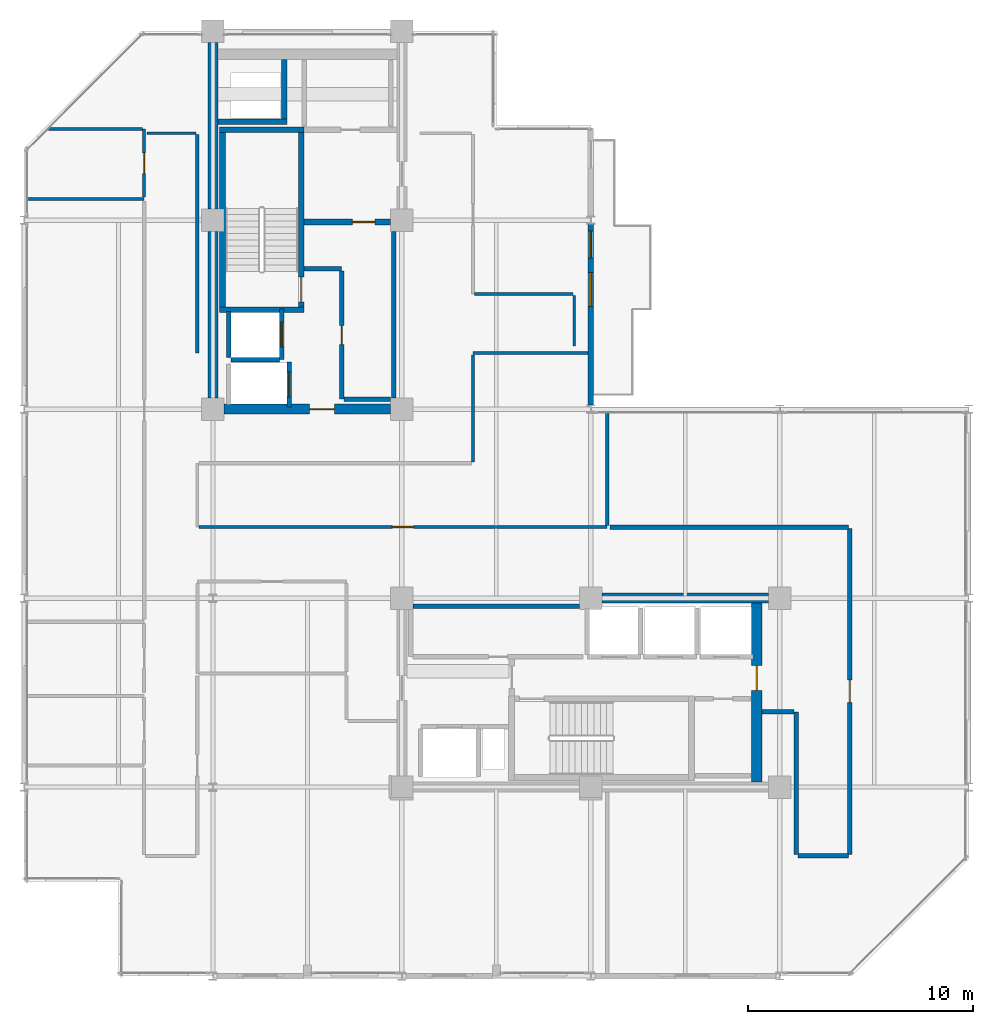
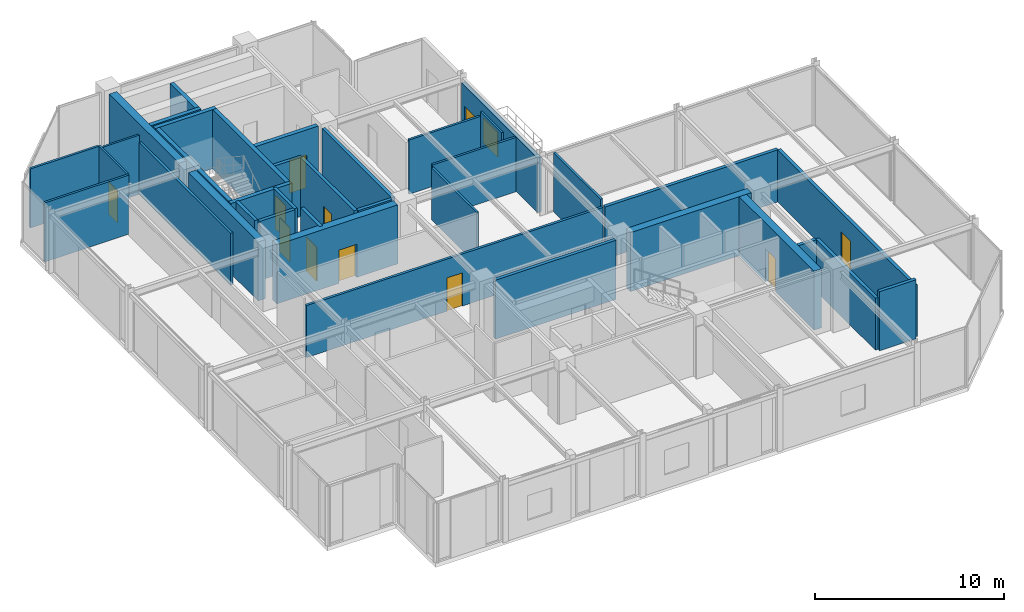
# One storey, part 21 of 25: 38 walls, 11 doors, 1 window, 12 openings.
"""IFC4 building model written with IfcOpenShell, lengths in metres."""

from ifc_helpers import new_model, si_unit, direction, frame, frame_2d, origin, place, context, subcontext, project, spatial, rectangle, extrude, material, layer, layer_set, type_object, element, fill, save


model = new_model("IFC4")

# Units and contexts
model_context = context("Model", 3, precision=1e-05, world=origin(), true_north=direction((0.0, 1.0)))
body_context = subcontext(model_context, "Body", "Model", "MODEL_VIEW")
ifc_project = project(units=[si_unit("LENGTHUNIT", "METRE"), si_unit("AREAUNIT", "SQUARE_METRE"), si_unit("VOLUMEUNIT", "CUBIC_METRE"), si_unit("PLANEANGLEUNIT", "RADIAN"), si_unit("MASSUNIT", "GRAM", prefix="KILO")], contexts=[model_context])

# Site, building, storey
site_placement = place(None, origin())
site = spatial("IfcSite", under=ifc_project, at=site_placement, CompositionType="ELEMENT")
building_placement = place(site_placement, origin())
building = spatial("IfcBuilding", under=site, at=building_placement, Name="Nerrivon Quay Data Exchange", CompositionType="ELEMENT")
storey_placement = place(building_placement, frame((0.0, 0.0, 237.0)))
storey = spatial("IfcBuildingStorey", under=building, at=storey_placement, Name="L56", CompositionType="ELEMENT", Elevation=237.0)

# Wall, openings, door, window
ifc_material_1 = material(Name="Architectural terracotta precast concrete N50 (50 MPa)", Category="masonry")
ifc_layer_1 = layer(ifc_material_1, 0.239990234375)
ifc_layer_set_1 = layer_set([ifc_layer_1], Name="Architectural terracotta precast concrete N50 (50 MPa)")
wall_type_1 = type_object("IfcWallType", Name="EW-PREC-240", PredefinedType="STANDARD", material=ifc_layer_set_1)
wall_1_placement = place(storey_placement, frame((25.199951171875, 33.425048828125, 0.0), z_axis=(0.0, 0.0, 1.0), x_axis=(0.0, -1.0, 0.0)))
wall_1 = element("IfcWall", 1, at=wall_1_placement, inside=storey, type_object=wall_type_1, Name="L56 Terrace Host Wall 23", PredefinedType="STANDARD", context=body_context, shape_type="SweptSolid", body=[
    extrude(rectangle(XDim=8.050048828125, YDim=0.239990234375, at=frame_2d((4.02490234375, 0.0))), origin(), (0.0, 0.0, 1.0), 3.52490234375),
])
opening_1_placement = place(wall_1_placement, frame((0.300048828125, 0.0, 0.0)))
opening_1 = element("IfcOpeningElement", 2, at=opening_1_placement, cuts=wall_1, Name="Opening TD1", PredefinedType="OPENING", context=body_context, shape_type="SweptSolid", body=[
    extrude(rectangle(XDim=1.199951171875, YDim=2.199951171875, at=frame_2d((0.60009765625, 1.10009765625))), frame((0.0, 0.1298828125, 0.0), z_axis=(0.0, -1.0, 0.0), x_axis=(1.0, 0.0, 0.0)), (0.0, 0.0, 1.0), 0.260009765625),
])
opening_2_placement = place(wall_1_placement, frame((2.153564453125, 0.0, 0.89990234375)))
opening_2 = element("IfcOpeningElement", 3, at=opening_2_placement, cuts=wall_1, Name="Opening WN4", PredefinedType="OPENING", context=body_context, shape_type="SweptSolid", body=[
    extrude(rectangle(XDim=1.5, YDim=1.60009765625, at=frame_2d((0.75, 0.800048828125))), frame((0.0, 0.1298828125, 0.0), z_axis=(0.0, -1.0, 0.0), x_axis=(1.0, 0.0, 0.0)), (0.0, 0.0, 1.0), 0.260009765625),
])
ifc_material_2 = material(Name="Double-glazed low-E solar control glass", Category="glass")
door_type_1 = type_object("IfcDoorType", Name="DR-TERR-1200x2200", OperationType="NOTDEFINED", PredefinedType="DOOR", material=ifc_material_2)
door_1_placement = place(opening_1_placement, origin())
door_1 = element("IfcDoor", 4, at=door_1_placement, inside=storey, type_object=door_type_1, Name="L56 Outdoor Terrace Access Door 23", OperationType="SINGLE_SWING_RIGHT", OverallHeight=2.199951171875, OverallWidth=1.199951171875, PredefinedType="DOOR", context=body_context, shape_type="SweptSolid", body=[
    extrude(rectangle(XDim=1.199951171875, YDim=2.199951171875, at=frame_2d((0.60009765625, 1.10009765625))), frame((0.0, 0.02490234375, 0.0), z_axis=(0.0, -1.0, 0.0), x_axis=(1.0, 0.0, 0.0)), (0.0, 0.0, 1.0), 0.050048828125),
])
fill(opening_1, door_1)
window_type = type_object("IfcWindowType", Name="WIN-W4-1500x1600", PartitioningType="SINGLE_PANEL", PredefinedType="WINDOW", material=ifc_material_2)
window_placement = place(opening_2_placement, origin())
window = element("IfcWindow", 5, at=window_placement, inside=storey, type_object=window_type, Name="L56 Terrace Side Window 23", OverallHeight=1.60009765625, OverallWidth=1.5, PartitioningType="SINGLE_PANEL", PredefinedType="WINDOW", context=body_context, shape_type="SweptSolid", body=[
    extrude(rectangle(XDim=1.5, YDim=1.60009765625, at=frame_2d((0.75, 0.800048828125))), frame((0.0, 0.030029296875, 0.0), z_axis=(0.0, -1.0, 0.0), x_axis=(1.0, 0.0, 0.0)), (0.0, 0.0, 1.0), 0.06005859375),
])
fill(opening_2, window)

# Walls
ifc_material_3 = material(Name="Concrete N50 (50 MPa)", Category="concrete")
ifc_layer_2 = layer(ifc_material_3, 0.449951171875)
ifc_layer_set_2 = layer_set([ifc_layer_2], Name="Concrete N50 (50 MPa)")
wall_type_2 = type_object("IfcWallType", Name="WALL-CW-550", PredefinedType="SHEAR", material=ifc_layer_set_2)
wall_2_placement = place(storey_placement, frame((8.39990234375, 25.699951171875, 0.0), z_axis=(0.0, 0.0, 1.0), x_axis=(0.0, 1.0, 0.0)))
element("IfcWall", 6, at=wall_2_placement, inside=storey, type_object=wall_type_2, Name="L56 West Split-Core Shear Wall WCW-W1", PredefinedType="SHEAR", context=body_context, shape_type="SweptSolid", body=[
    extrude(rectangle(XDim=7.400146484375, YDim=0.449951171875, at=frame_2d((3.7001953125, 0.0))), origin(), (0.0, 0.0, 1.0), 3.824951171875),
])
wall_3_placement = place(storey_placement, frame((8.39990234375, 34.10009765625, 0.0), z_axis=(0.0, 0.0, 1.0), x_axis=(0.0, 1.0, 0.0)))
element("IfcWall", 7, at=wall_3_placement, inside=storey, type_object=wall_type_2, Name="L56 West Split-Core Shear Wall WCW-W2", PredefinedType="SHEAR", context=body_context, shape_type="SweptSolid", body=[
    extrude(rectangle(XDim=7.39990234375, YDim=0.449951171875, at=frame_2d((3.699951171875, 0.0))), origin(), (0.0, 0.0, 1.0), 3.824951171875),
])

# Wall, opening, door
wall_4_placement = place(storey_placement, frame((8.89990234375, 25.199951171875, 0.0), z_axis=(0.0, 0.0, 1.0), x_axis=(1.0, 0.0, 0.0)))
wall_4 = element("IfcWall", 8, at=wall_4_placement, inside=storey, type_object=wall_type_2, Name="L56 West Split-Core Shear Wall WCW-S1", PredefinedType="SHEAR", context=body_context, shape_type="SweptSolid", body=[
    extrude(rectangle(XDim=7.400146484375, YDim=0.449951171875, at=frame_2d((3.7001953125, 0.0))), origin(), (0.0, 0.0, 1.0), 3.824951171875),
])
opening_3_placement = place(wall_4_placement, frame((3.800048828125, 0.0, 0.0)))
opening_3 = element("IfcOpeningElement", 9, at=opening_3_placement, cuts=wall_4, Name="Opening FD-120", PredefinedType="OPENING", context=body_context, shape_type="SweptSolid", body=[
    extrude(rectangle(XDim=1.10009765625, YDim=2.14990234375, at=frame_2d((0.550048828125, 1.074951171875))), frame((0.0, 0.23486328125, 0.0), z_axis=(0.0, -1.0, 0.0), x_axis=(1.0, 0.0, 0.0)), (0.0, 0.0, 1.0), 0.469970703125),
])
ifc_material_4 = material(Name="Powder-coated galvanized steel sheet", Category="steel")
door_type_2 = type_object("IfcDoorType", Name="DR-FD120-1100", OperationType="NOTDEFINED", PredefinedType="DOOR", material=ifc_material_4)
door_2_placement = place(opening_3_placement, origin())
door_2 = element("IfcDoor", 10, at=door_2_placement, inside=storey, type_object=door_type_2, Name="L56 West Core Lobby Fire Door", OperationType="SINGLE_SWING_LEFT", OverallHeight=2.14990234375, OverallWidth=1.10009765625, PredefinedType="DOOR", context=body_context, shape_type="SweptSolid", body=[
    extrude(rectangle(XDim=1.10009765625, YDim=2.14990234375, at=frame_2d((0.550048828125, 1.074951171875))), frame((0.0, 0.02490234375, 0.0), z_axis=(0.0, -1.0, 0.0), x_axis=(1.0, 0.0, 0.0)), (0.0, 0.0, 1.0), 0.050048828125),
])
fill(opening_3, door_2)

wall_5_placement = place(storey_placement, frame((32.574951171875, 8.625, 0.0), z_axis=(0.0, 0.0, 1.0), x_axis=(0.0, 1.0, 0.0)))
wall_5 = element("IfcWall", 11, at=wall_5_placement, inside=storey, type_object=wall_type_2, Name="L56 East Split-Core Shear Wall ECW-E1", PredefinedType="SHEAR", context=body_context, shape_type="SweptSolid", body=[
    extrude(rectangle(XDim=7.949951171875, YDim=0.449951171875, at=frame_2d((3.97509765625, 0.0))), origin(), (0.0, 0.0, 1.0), 3.824951171875),
])
opening_4_placement = place(wall_5_placement, frame((4.074951171875, 0.0, 0.0)))
opening_4 = element("IfcOpeningElement", 12, at=opening_4_placement, cuts=wall_5, Name="Opening FD-120", PredefinedType="OPENING", context=body_context, shape_type="SweptSolid", body=[
    extrude(rectangle(XDim=1.10009765625, YDim=2.14990234375, at=frame_2d((0.550048828125, 1.074951171875))), frame((0.0, 0.23486328125, 0.0), z_axis=(0.0, -1.0, 0.0), x_axis=(1.0, 0.0, 0.0)), (0.0, 0.0, 1.0), 0.469970703125),
])
door_3_placement = place(opening_4_placement, origin())
door_3 = element("IfcDoor", 13, at=door_3_placement, inside=storey, type_object=door_type_2, Name="L56 East Core Lobby Fire Door", OperationType="SINGLE_SWING_RIGHT", OverallHeight=2.14990234375, OverallWidth=1.10009765625, PredefinedType="DOOR", context=body_context, shape_type="SweptSolid", body=[
    extrude(rectangle(XDim=1.10009765625, YDim=2.14990234375, at=frame_2d((0.550048828125, 1.074951171875))), frame((0.0, 0.02490234375, 0.0), z_axis=(0.0, -1.0, 0.0), x_axis=(1.0, 0.0, 0.0)), (0.0, 0.0, 1.0), 0.050048828125),
])
fill(opening_4, door_3)

# Wall
wall_6_placement = place(storey_placement, frame((25.699951171875, 16.800048828125, 0.0), z_axis=(0.0, 0.0, 1.0), x_axis=(1.0, 0.0, 0.0)))
element("IfcWall", 14, at=wall_6_placement, inside=storey, type_object=wall_type_2, Name="L56 East Split-Core Shear Wall ECW-N1", PredefinedType="SHEAR", context=body_context, shape_type="SweptSolid", body=[
    extrude(rectangle(XDim=7.400146484375, YDim=0.449951171875, at=frame_2d((3.7001953125, 0.0))), origin(), (0.0, 0.0, 1.0), 3.824951171875),
])

# Wall, opening, door
ifc_material_5 = material(Name="Gypsum plasterboard on cold-formed framing", Category="gypsum")
ifc_layer_3 = layer(ifc_material_5, 0.199951171875)
ifc_layer_set_3 = layer_set([ifc_layer_3], Name="Gypsum plasterboard on cold-formed framing")
wall_type_3 = type_object("IfcWallType", Name="WALL-FW-200", PredefinedType="PARTITIONING", material=ifc_layer_set_3)
wall_7_placement = place(storey_placement, frame((11.449951171875, 27.39990234375, 0.0), z_axis=(0.0, 0.0, 1.0), x_axis=(0.0, 1.0, 0.0)))
wall_7 = element("IfcWall", 15, at=wall_7_placement, inside=storey, type_object=wall_type_3, Name="L56 Lift Front Wall FFL-1", PredefinedType="PARTITIONING", context=body_context, shape_type="SweptSolid", body=[
    extrude(rectangle(XDim=2.25, YDim=0.199951171875, at=frame_2d((1.125, 0.0))), origin(), (0.0, 0.0, 1.0), 3.824951171875),
])
opening_5_placement = place(wall_7_placement, frame((0.574951171875, 0.0, 0.0)))
opening_5 = element("IfcOpeningElement", 16, at=opening_5_placement, cuts=wall_7, Name="Opening LD-120", PredefinedType="OPENING", context=body_context, shape_type="SweptSolid", body=[
    extrude(rectangle(XDim=1.10009765625, YDim=2.199951171875, at=frame_2d((0.550048828125, 1.10009765625))), frame((0.0, 0.10986328125, 0.0), z_axis=(0.0, -1.0, 0.0), x_axis=(1.0, 0.0, 0.0)), (0.0, 0.0, 1.0), 0.219970703125),
])
door_type_3 = type_object("IfcDoorType", Name="DR-LIFT-LD120", OperationType="DOUBLE_DOOR_SLIDING", PredefinedType="DOOR", material=ifc_material_4)
door_4_placement = place(opening_5_placement, origin())
door_4 = element("IfcDoor", 17, at=door_4_placement, inside=storey, type_object=door_type_3, Name="L56 Lift Landing Sliding Door FFL-1", OperationType="DOUBLE_DOOR_SLIDING", OverallHeight=2.199951171875, OverallWidth=1.10009765625, PredefinedType="DOOR", context=body_context, shape_type="SweptSolid", body=[
    extrude(rectangle(XDim=1.10009765625, YDim=2.199951171875, at=frame_2d((0.550048828125, 1.10009765625))), frame((0.0, 0.02490234375, 0.0), z_axis=(0.0, -1.0, 0.0), x_axis=(1.0, 0.0, 0.0)), (0.0, 0.0, 1.0), 0.050048828125),
])
fill(opening_5, door_4)

# Walls
wall_8_placement = place(storey_placement, frame((9.10009765625, 27.5, 0.0), z_axis=(0.0, 0.0, 1.0), x_axis=(0.0, 1.0, 0.0)))
element("IfcWall", 18, at=wall_8_placement, inside=storey, type_object=wall_type_3, Name="L56 Lift Shaft Wall FFL-1 WEST", PredefinedType="PARTITIONING", context=body_context, shape_type="SweptSolid", body=[
    extrude(rectangle(XDim=2.050048828125, YDim=0.199951171875, at=frame_2d((1.02490234375, 0.0))), origin(), (0.0, 0.0, 1.0), 3.824951171875),
])
wall_9_placement = place(storey_placement, frame((9.199951171875, 27.39990234375, 0.0), z_axis=(0.0, 0.0, 1.0), x_axis=(1.0, 0.0, 0.0)))
element("IfcWall", 19, at=wall_9_placement, inside=storey, type_object=wall_type_3, Name="L56 Lift Shaft Wall FFL-1 SOUTH", PredefinedType="PARTITIONING", context=body_context, shape_type="SweptSolid", body=[
    extrude(rectangle(XDim=2.150146484375, YDim=0.199951171875, at=frame_2d((1.0751953125, 0.0))), origin(), (0.0, 0.0, 1.0), 3.824951171875),
])

# Wall, opening, door
wall_10_placement = place(storey_placement, frame((11.800048828125, 25.300048828125, 0.0), z_axis=(0.0, 0.0, 1.0), x_axis=(0.0, 1.0, 0.0)))
wall_10 = element("IfcWall", 20, at=wall_10_placement, inside=storey, type_object=wall_type_3, Name="L56 Lift Front Wall SVL-1", PredefinedType="PARTITIONING", context=body_context, shape_type="SweptSolid", body=[
    extrude(rectangle(XDim=2.0, YDim=0.199951171875, at=frame_2d((1.0, 0.0))), origin(), (0.0, 0.0, 1.0), 3.824951171875),
])
opening_6_placement = place(wall_10_placement, frame((0.449951171875, 0.0, 0.0)))
opening_6 = element("IfcOpeningElement", 21, at=opening_6_placement, cuts=wall_10, Name="Opening LD-120", PredefinedType="OPENING", context=body_context, shape_type="SweptSolid", body=[
    extrude(rectangle(XDim=1.10009765625, YDim=2.199951171875, at=frame_2d((0.550048828125, 1.10009765625))), frame((0.0, 0.10986328125, 0.0), z_axis=(0.0, -1.0, 0.0), x_axis=(1.0, 0.0, 0.0)), (0.0, 0.0, 1.0), 0.219970703125),
])
door_5_placement = place(opening_6_placement, origin())
door_5 = element("IfcDoor", 22, at=door_5_placement, inside=storey, type_object=door_type_3, Name="L56 Lift Landing Sliding Door SVL-1", OperationType="DOUBLE_DOOR_SLIDING", OverallHeight=2.199951171875, OverallWidth=1.10009765625, PredefinedType="DOOR", context=body_context, shape_type="SweptSolid", body=[
    extrude(rectangle(XDim=1.10009765625, YDim=2.199951171875, at=frame_2d((0.550048828125, 1.10009765625))), frame((0.0, 0.02490234375, 0.0), z_axis=(0.0, -1.0, 0.0), x_axis=(1.0, 0.0, 0.0)), (0.0, 0.0, 1.0), 0.050048828125),
])
fill(opening_6, door_5)

# Walls
wall_11_placement = place(storey_placement, frame((16.449951171875, 25.705078125, 0.0), z_axis=(0.0, 0.0, 1.0), x_axis=(0.0, 1.0, 0.0)))
element("IfcWall", 23, at=wall_11_placement, inside=storey, type_object=wall_type_3, Name="L56 Partition Telemetry Hub Closet", PredefinedType="PARTITIONING", context=body_context, shape_type="SweptSolid", body=[
    extrude(rectangle(XDim=7.389892578125, YDim=0.199951171875, at=frame_2d((3.69482421875, 0.0))), origin(), (0.0, 0.0, 1.0), 3.824951171875),
])
wall_12_placement = place(storey_placement, frame((12.4541015625, 31.43994140625, 0.0), z_axis=(0.0, 0.0, 1.0), x_axis=(1.0, 0.0, 0.0)))
element("IfcWall", 24, at=wall_12_placement, inside=storey, type_object=wall_type_3, Name="L56 Partition Telemetry Hub Closet", PredefinedType="PARTITIONING", context=body_context, shape_type="SweptSolid", body=[
    extrude(rectangle(XDim=1.666015625, YDim=0.199951171875, at=frame_2d((0.8330078125, 0.0))), origin(), (0.0, 0.0, 1.0), 3.824951171875),
])

# Wall, opening, door
wall_13_placement = place(storey_placement, frame((14.1201171875, 31.3359375, 0.0), z_axis=(0.0, 0.0, 1.0), x_axis=(0.0, -1.0, 0.0)))
wall_13 = element("IfcWall", 25, at=wall_13_placement, inside=storey, type_object=wall_type_3, Name="L56 Partition Telemetry Hub Closet", PredefinedType="PARTITIONING", context=body_context, shape_type="SweptSolid", body=[
    extrude(rectangle(XDim=5.68603515625, YDim=0.199951171875, at=frame_2d((2.843017578125, 0.0))), origin(), (0.0, 0.0, 1.0), 3.824951171875),
])
opening_7_placement = place(wall_13_placement, frame((2.41796875, 0.0, 0.0)))
opening_7 = element("IfcOpeningElement", 26, at=opening_7_placement, cuts=wall_13, Name="Opening FD-60S", PredefinedType="OPENING", context=body_context, shape_type="SweptSolid", body=[
    extrude(rectangle(XDim=0.85009765625, YDim=2.14990234375, at=frame_2d((0.425048828125, 1.074951171875))), frame((0.0, 0.10986328125, 0.0), z_axis=(0.0, -1.0, 0.0), x_axis=(1.0, 0.0, 0.0)), (0.0, 0.0, 1.0), 0.219970703125),
])
ifc_material_6 = material(Name="Engineered hardwood timber", Category="wood")
door_type_4 = type_object("IfcDoorType", Name="DR-FD60-850", OperationType="NOTDEFINED", PredefinedType="DOOR", material=ifc_material_6)
door_6_placement = place(opening_7_placement, origin())
door_6 = element("IfcDoor", 27, at=door_6_placement, inside=storey, type_object=door_type_4, Name="L56 Door Telemetry Hub Closet", OperationType="SINGLE_SWING_RIGHT", OverallHeight=2.14990234375, OverallWidth=0.85009765625, PredefinedType="DOOR", context=body_context, shape_type="SweptSolid", body=[
    extrude(rectangle(XDim=0.85009765625, YDim=2.14990234375, at=frame_2d((0.425048828125, 1.074951171875))), frame((0.0, 0.02490234375, 0.0), z_axis=(0.0, -1.0, 0.0), x_axis=(1.0, 0.0, 0.0)), (0.0, 0.0, 1.0), 0.050048828125),
])
fill(opening_7, door_6)

# Walls
wall_14_placement = place(storey_placement, frame((14.22412109375, 25.64990234375, 0.0), z_axis=(0.0, 0.0, 1.0), x_axis=(1.0, 0.0, 0.0)))
element("IfcWall", 28, at=wall_14_placement, inside=storey, type_object=wall_type_3, Name="L56 Partition Telemetry Hub Closet", PredefinedType="PARTITIONING", context=body_context, shape_type="SweptSolid", body=[
    extrude(rectangle(XDim=2.07080078125, YDim=0.199951171875, at=frame_2d((1.035400390625, 0.0))), origin(), (0.0, 0.0, 1.0), 3.824951171875),
])
wall_15_placement = place(storey_placement, frame((24.695068359375, 16.449951171875, 0.0), z_axis=(0.0, 0.0, 1.0), x_axis=(-1.0, 0.0, 0.0)))
element("IfcWall", 29, at=wall_15_placement, inside=storey, type_object=wall_type_3, Name="L56 Partition High-Zone Telemetry Equipment Store", PredefinedType="PARTITIONING", context=body_context, shape_type="SweptSolid", body=[
    extrude(rectangle(XDim=7.39013671875, YDim=0.199951171875, at=frame_2d((3.695068359375, 0.0))), origin(), (0.0, 0.0, 1.0), 3.824951171875),
])
wall_16_placement = place(storey_placement, frame((26.0498046875, 19.9599609375, 0.0), z_axis=(0.0, 0.0, 1.0), x_axis=(1.0, 0.0, 0.0)))
element("IfcWall", 30, at=wall_16_placement, inside=storey, type_object=wall_type_3, Name="L56 Partition Colocation Data Workspace 1", PredefinedType="PARTITIONING", context=body_context, shape_type="SweptSolid", body=[
    extrude(rectangle(XDim=10.60009765625, YDim=0.199951171875, at=frame_2d((5.300048828125, 0.0))), origin(), (0.0, 0.0, 1.0), 3.37109375),
])

# Wall, opening, door
wall_17_placement = place(storey_placement, frame((36.7099609375, 19.89990234375, 0.0), z_axis=(0.0, 0.0, 1.0), x_axis=(0.0, -1.0, 0.0)))
wall_17 = element("IfcWall", 31, at=wall_17_placement, inside=storey, type_object=wall_type_3, Name="L56 Partition Colocation Data Workspace 1", PredefinedType="PARTITIONING", context=body_context, shape_type="SweptSolid", body=[
    extrude(rectangle(XDim=14.5, YDim=0.199951171875, at=frame_2d((7.25, 0.0))), origin(), (0.0, 0.0, 1.0), 3.364990234375),
])
opening_8_placement = place(wall_17_placement, frame((6.75, 0.0, 0.0)))
opening_8 = element("IfcOpeningElement", 32, at=opening_8_placement, cuts=wall_17, Name="Opening FD-60", PredefinedType="OPENING", context=body_context, shape_type="SweptSolid", body=[
    extrude(rectangle(XDim=1.0, YDim=2.14990234375, at=frame_2d((0.5, 1.074951171875))), frame((0.0, 0.10986328125, 0.0), z_axis=(0.0, -1.0, 0.0), x_axis=(1.0, 0.0, 0.0)), (0.0, 0.0, 1.0), 0.219970703125),
])
door_type_5 = type_object("IfcDoorType", Name="DR-FD60-1000", OperationType="NOTDEFINED", PredefinedType="DOOR", material=ifc_material_6)
door_7_placement = place(opening_8_placement, origin())
door_7 = element("IfcDoor", 33, at=door_7_placement, inside=storey, type_object=door_type_5, Name="L56 Door Colocation Data Workspace 1", OperationType="SINGLE_SWING_RIGHT", OverallHeight=2.14990234375, OverallWidth=1.0, PredefinedType="DOOR", context=body_context, shape_type="SweptSolid", body=[
    extrude(rectangle(XDim=1.0, YDim=2.14990234375, at=frame_2d((0.5, 1.074951171875))), frame((0.0, 0.02490234375, 0.0), z_axis=(0.0, -1.0, 0.0), x_axis=(1.0, 0.0, 0.0)), (0.0, 0.0, 1.0), 0.050048828125),
])
fill(opening_8, door_7)

# Walls
wall_18_placement = place(storey_placement, frame((36.64990234375, 5.340087890625, 0.0), z_axis=(0.0, 0.0, 1.0), x_axis=(-1.0, 0.0, 0.0)))
element("IfcWall", 34, at=wall_18_placement, inside=storey, type_object=wall_type_3, Name="L56 Partition Colocation Data Workspace 1", PredefinedType="PARTITIONING", context=body_context, shape_type="SweptSolid", body=[
    extrude(rectangle(XDim=2.25, YDim=0.199951171875, at=frame_2d((1.125, 0.0))), origin(), (0.0, 0.0, 1.0), 3.824951171875),
])
wall_19_placement = place(storey_placement, frame((34.340087890625, 5.39990234375, 0.0), z_axis=(0.0, 0.0, 1.0), x_axis=(0.0, 1.0, 0.0)))
element("IfcWall", 35, at=wall_19_placement, inside=storey, type_object=wall_type_3, Name="L56 Partition Colocation Data Workspace 1", PredefinedType="PARTITIONING", context=body_context, shape_type="SweptSolid", body=[
    extrude(rectangle(XDim=6.340087890625, YDim=0.199951171875, at=frame_2d((3.169921875, 0.0))), origin(), (0.0, 0.0, 1.0), 3.364990234375),
])
wall_20_placement = place(storey_placement, frame((34.236083984375, 11.739990234375, 0.0), z_axis=(0.0, 0.0, 1.0), x_axis=(-1.0, 0.0, 0.0)))
element("IfcWall", 36, at=wall_20_placement, inside=storey, type_object=wall_type_3, Name="L56 Partition Colocation Data Workspace 1", PredefinedType="PARTITIONING", context=body_context, shape_type="SweptSolid", body=[
    extrude(rectangle(XDim=1.43212890625, YDim=0.199951171875, at=frame_2d((0.716064453125, 0.0))), origin(), (0.0, 0.0, 1.0), 3.37109375),
])

# Wall, opening, door
ifc_layer_4 = layer(ifc_material_5, 0.1201171875)
ifc_layer_set_4 = layer_set([ifc_layer_4], Name="Gypsum plasterboard on cold-formed framing")
wall_type_4 = type_object("IfcWallType", Name="WALL-PT-120", PredefinedType="PARTITIONING", material=ifc_layer_set_4)
wall_21_placement = place(storey_placement, frame((5.340087890625, 34.62158203125, 0.0), z_axis=(0.0, 0.0, 1.0), x_axis=(0.0, 1.0, 0.0)))
wall_21 = element("IfcWall", 37, at=wall_21_placement, inside=storey, type_object=wall_type_4, Name="L56 Partition Staff Shower Block", PredefinedType="PARTITIONING", context=body_context, shape_type="SweptSolid", body=[
    extrude(rectangle(XDim=3.0283203125, YDim=0.1201171875, at=frame_2d((1.51416015625, 0.0))), origin(), (0.0, 0.0, 1.0), 3.824951171875),
])
opening_9_placement = place(wall_21_placement, frame((1.05419921875, 0.0, 0.0)))
opening_9 = element("IfcOpeningElement", 38, at=opening_9_placement, cuts=wall_21, Name="Opening D-WC", PredefinedType="OPENING", context=body_context, shape_type="SweptSolid", body=[
    extrude(rectangle(XDim=0.919921875, YDim=2.10009765625, at=frame_2d((0.4599609375, 1.050048828125))), frame((0.0, 0.070068359375, 0.0), z_axis=(0.0, -1.0, 0.0), x_axis=(1.0, 0.0, 0.0)), (0.0, 0.0, 1.0), 0.14013671875),
])
door_type_6 = type_object("IfcDoorType", Name="DR-WC-920", OperationType="NOTDEFINED", PredefinedType="DOOR", material=ifc_material_6)
door_8_placement = place(opening_9_placement, origin())
door_8 = element("IfcDoor", 39, at=door_8_placement, inside=storey, type_object=door_type_6, Name="L56 Door Staff Shower Block", OperationType="SINGLE_SWING_RIGHT", OverallHeight=2.10009765625, OverallWidth=0.919921875, PredefinedType="DOOR", context=body_context, shape_type="SweptSolid", body=[
    extrude(rectangle(XDim=0.919921875, YDim=2.10009765625, at=frame_2d((0.4599609375, 1.050048828125))), frame((0.0, 0.02490234375, 0.0), z_axis=(0.0, -1.0, 0.0), x_axis=(1.0, 0.0, 0.0)), (0.0, 0.0, 1.0), 0.050048828125),
])
fill(opening_9, door_8)

# Walls
wall_22_placement = place(storey_placement, frame((5.4599609375, 37.4599609375, 0.0), z_axis=(0.0, 0.0, 1.0), x_axis=(1.0, 0.0, 0.0)))
element("IfcWall", 40, at=wall_22_placement, inside=storey, type_object=wall_type_4, Name="L56 Partition Engineers Lounge", PredefinedType="PARTITIONING", context=body_context, shape_type="SweptSolid", body=[
    extrude(rectangle(XDim=2.18994140625, YDim=0.1201171875, at=frame_2d((1.094970703125, 0.0))), origin(), (0.0, 0.0, 1.0), 3.824951171875),
])
wall_23_placement = place(storey_placement, frame((24.4599609375, 30.25, 0.0), z_axis=(0.0, 0.0, 1.0), x_axis=(0.0, -1.0, 0.0)))
element("IfcWall", 41, at=wall_23_placement, inside=storey, type_object=wall_type_4, Name="L56 Partition Engineers Lounge", PredefinedType="PARTITIONING", context=body_context, shape_type="SweptSolid", body=[
    extrude(rectangle(XDim=2.25, YDim=0.1201171875, at=frame_2d((1.125, 0.0))), origin(), (0.0, 0.0, 1.0), 3.824951171875),
])
ifc_layer_5 = layer(ifc_material_5, 0.135009765625)
ifc_layer_set_5 = layer_set([ifc_layer_5], Name="Gypsum plasterboard on cold-formed framing")
wall_type_5 = type_object("IfcWallType", Name="WALL-PT-135", PredefinedType="PARTITIONING", material=ifc_layer_set_5)
wall_24_placement = place(storey_placement, frame((0.1689453125, 34.550048828125, 0.0), z_axis=(0.0, 0.0, 1.0), x_axis=(1.0, 0.0, 0.0)))
element("IfcWall", 42, at=wall_24_placement, inside=storey, type_object=wall_type_5, Name="L56 Partition Staff Shower Block", PredefinedType="PARTITIONING", context=body_context, shape_type="SweptSolid", body=[
    extrude(rectangle(XDim=5.171142578125, YDim=0.135009765625, at=frame_2d((2.58544921875, 0.0))), origin(), (0.0, 0.0, 1.0), 3.824951171875),
])
wall_25_placement = place(storey_placement, frame((5.27587890625, 37.64990234375, 0.0), z_axis=(0.0, 0.0, 1.0), x_axis=(-1.0, 0.0, 0.0)))
element("IfcWall", 43, at=wall_25_placement, inside=storey, type_object=wall_type_5, Name="L56 Partition Staff Shower Block", PredefinedType="PARTITIONING", context=body_context, shape_type="SweptSolid", body=[
    extrude(rectangle(XDim=4.186767578125, YDim=0.135009765625, at=frame_2d((2.09326171875, 0.0))), origin(), (0.0, 0.0, 1.0), 3.824951171875),
])
wall_26_placement = place(storey_placement, frame((25.9296875, 20.0390625, 0.0), z_axis=(0.0, 0.0, 1.0), x_axis=(0.0, 1.0, 0.0)))
element("IfcWall", 44, at=wall_26_placement, inside=storey, type_object=wall_type_5, Name="L56 Partition Staff Pantry", PredefinedType="PARTITIONING", context=body_context, shape_type="SweptSolid", body=[
    extrude(rectangle(XDim=4.991943359375, YDim=0.135009765625, at=frame_2d((2.49609375, 0.0))), origin(), (0.0, 0.0, 1.0), 3.824951171875),
])
wall_27_placement = place(storey_placement, frame((25.075927734375, 27.68798828125, 0.0), z_axis=(0.0, 0.0, 1.0), x_axis=(-1.0, 0.0, 0.0)))
element("IfcWall", 45, at=wall_27_placement, inside=storey, type_object=wall_type_5, Name="L56 Partition Staff Pantry", PredefinedType="PARTITIONING", context=body_context, shape_type="SweptSolid", body=[
    extrude(rectangle(XDim=5.115966796875, YDim=0.135009765625, at=frame_2d((2.55810546875, 0.0))), origin(), (0.0, 0.0, 1.0), 3.51806640625),
])
wall_28_placement = place(storey_placement, frame((19.9599609375, 27.616455078125, 0.0), z_axis=(0.0, 0.0, 1.0), x_axis=(0.0, -1.0, 0.0)))
element("IfcWall", 46, at=wall_28_placement, inside=storey, type_object=wall_type_5, Name="L56 Partition Staff Pantry", PredefinedType="PARTITIONING", context=body_context, shape_type="SweptSolid", body=[
    extrude(rectangle(XDim=4.766357421875, YDim=0.135009765625, at=frame_2d((2.38330078125, 0.0))), origin(), (0.0, 0.0, 1.0), 3.364990234375),
])
wall_29_placement = place(storey_placement, frame((20.0390625, 30.31005859375, 0.0), z_axis=(0.0, 0.0, 1.0), x_axis=(1.0, 0.0, 0.0)))
element("IfcWall", 47, at=wall_29_placement, inside=storey, type_object=wall_type_5, Name="L56 Partition Engineers Lounge", PredefinedType="PARTITIONING", context=body_context, shape_type="SweptSolid", body=[
    extrude(rectangle(XDim=4.36083984375, YDim=0.135009765625, at=frame_2d((2.180419921875, 0.0))), origin(), (0.0, 0.0, 1.0), 3.51806640625),
])

# Wall, opening, door
ifc_layer_6 = layer(ifc_material_5, 0.14990234375)
ifc_layer_set_6 = layer_set([ifc_layer_6], Name="Gypsum plasterboard on cold-formed framing")
wall_type_6 = type_object("IfcWallType", Name="WALL-PT-150", PredefinedType="PARTITIONING", material=ifc_layer_set_6)
wall_30_placement = place(storey_placement, frame((7.77392578125, 19.9599609375, 0.0), z_axis=(0.0, 0.0, 1.0), x_axis=(1.0, 0.0, 0.0)))
wall_30 = element("IfcWall", 48, at=wall_30_placement, inside=storey, type_object=wall_type_6, Name="L56 Partition Staff Pantry", PredefinedType="PARTITIONING", context=body_context, shape_type="SweptSolid", body=[
    extrude(rectangle(XDim=18.15576171875, YDim=0.14990234375, at=frame_2d((9.077880859375, 0.0))), origin(), (0.0, 0.0, 1.0), 3.37109375),
])
opening_10_placement = place(wall_30_placement, frame((8.602783203125, 0.0, 0.0)))
opening_10 = element("IfcOpeningElement", 49, at=opening_10_placement, cuts=wall_30, Name="Opening D-01", PredefinedType="OPENING", context=body_context, shape_type="SweptSolid", body=[
    extrude(rectangle(XDim=0.949951171875, YDim=2.14990234375, at=frame_2d((0.47509765625, 1.074951171875))), frame((0.0, 0.0849609375, 0.0), z_axis=(0.0, -1.0, 0.0), x_axis=(1.0, 0.0, 0.0)), (0.0, 0.0, 1.0), 0.169921875),
])
door_type_7 = type_object("IfcDoorType", Name="DR-INT-950", OperationType="NOTDEFINED", PredefinedType="DOOR", material=ifc_material_6)
door_9_placement = place(opening_10_placement, origin())
door_9 = element("IfcDoor", 50, at=door_9_placement, inside=storey, type_object=door_type_7, Name="L56 Door Staff Pantry", OperationType="SINGLE_SWING_RIGHT", OverallHeight=2.14990234375, OverallWidth=0.949951171875, PredefinedType="DOOR", context=body_context, shape_type="SweptSolid", body=[
    extrude(rectangle(XDim=0.949951171875, YDim=2.14990234375, at=frame_2d((0.47509765625, 1.074951171875))), frame((0.0, 0.02490234375, 0.0), z_axis=(0.0, -1.0, 0.0), x_axis=(1.0, 0.0, 0.0)), (0.0, 0.0, 1.0), 0.050048828125),
])
fill(opening_10, door_9)

# Walls
wall_31_placement = place(storey_placement, frame((7.7099609375, 37.39990234375, 0.0), z_axis=(0.0, 0.0, 1.0), x_axis=(0.0, -1.0, 0.0)))
element("IfcWall", 51, at=wall_31_placement, inside=storey, type_object=wall_type_6, Name="L56 Partition Engineers Lounge", PredefinedType="PARTITIONING", context=body_context, shape_type="SweptSolid", body=[
    extrude(rectangle(XDim=9.7119140625, YDim=0.14990234375, at=frame_2d((4.85595703125, 0.0))), origin(), (0.0, 0.0, 1.0), 3.364990234375),
])
ifc_layer_7 = layer(ifc_material_3, 0.25)
ifc_layer_set_7 = layer_set([ifc_layer_7], Name="Concrete N50 (50 MPa)")
wall_type_7 = type_object("IfcWallType", Name="WALL-SW-250", PredefinedType="SHEAR", material=ifc_layer_set_7)
for number, where, z_axis, x_axis, name in (
    (52, (12.449951171875, 29.625, 0.0), (0.0, 0.0, 1.0), (-1.0, 0.0, 0.0), "L56 ST01 Structural Stair Core Wall NEAR"),
    (53, (12.449951171875, 37.625, 0.0), (0.0, 0.0, 1.0), (-1.0, 0.0, 0.0), "L56 ST01 Structural Stair Core Wall FAR"),
):
    element("IfcWall", number, at=place(storey_placement, frame(where, z_axis=z_axis, x_axis=x_axis)), inside=storey, type_object=wall_type_7, Name=name, PredefinedType="SHEAR", context=body_context, shape_type="SweptSolid", body=[
        extrude(rectangle(XDim=3.75, YDim=0.25, at=frame_2d((1.875, 0.0))), origin(), (0.0, 0.0, 1.0), 3.824951171875),
    ])

# Wall, opening, door
wall_32_placement = place(storey_placement, frame((12.324951171875, 29.75, 0.0), z_axis=(0.0, 0.0, 1.0), x_axis=(0.0, 1.0, 0.0)))
wall_32 = element("IfcWall", 54, at=wall_32_placement, inside=storey, type_object=wall_type_7, Name="L56 ST01 Structural Stair Core Wall LEFT", PredefinedType="SHEAR", context=body_context, shape_type="SweptSolid", body=[
    extrude(rectangle(XDim=7.75, YDim=0.25, at=frame_2d((3.875, 0.0))), origin(), (0.0, 0.0, 1.0), 3.824951171875),
])
opening_11_placement = place(wall_32_placement, frame((0.219970703125, 0.0, 0.0)))
opening_11 = element("IfcOpeningElement", 55, at=opening_11_placement, cuts=wall_32, Name="Opening FD-120", PredefinedType="OPENING", context=body_context, shape_type="SweptSolid", body=[
    extrude(rectangle(XDim=1.10009765625, YDim=2.14990234375, at=frame_2d((0.550048828125, 1.074951171875))), frame((0.0, 0.135009765625, 0.0), z_axis=(0.0, -1.0, 0.0), x_axis=(1.0, 0.0, 0.0)), (0.0, 0.0, 1.0), 0.27001953125),
])
door_10_placement = place(opening_11_placement, origin())
door_10 = element("IfcDoor", 56, at=door_10_placement, inside=storey, type_object=door_type_2, Name="L56 Protected Stair Door ST01", OperationType="SINGLE_SWING_RIGHT", OverallHeight=2.14990234375, OverallWidth=1.10009765625, PredefinedType="DOOR", context=body_context, shape_type="SweptSolid", body=[
    extrude(rectangle(XDim=1.10009765625, YDim=2.14990234375, at=frame_2d((0.550048828125, 1.074951171875))), frame((0.0, 0.02490234375, 0.0), z_axis=(0.0, -1.0, 0.0), x_axis=(1.0, 0.0, 0.0)), (0.0, 0.0, 1.0), 0.050048828125),
])
fill(opening_11, door_10)

# Walls
wall_33_placement = place(storey_placement, frame((8.824951171875, 29.75, 0.0), z_axis=(0.0, 0.0, 1.0), x_axis=(0.0, 1.0, 0.0)))
element("IfcWall", 57, at=wall_33_placement, inside=storey, type_object=wall_type_7, Name="L56 ST01 Structural Stair Core Wall RIGHT", PredefinedType="SHEAR", context=body_context, shape_type="SweptSolid", body=[
    extrude(rectangle(XDim=7.75, YDim=0.25, at=frame_2d((3.875, 0.0))), origin(), (0.0, 0.0, 1.0), 3.824951171875),
])
wall_34_placement = place(storey_placement, frame((8.625, 37.97509765625, 0.0), z_axis=(0.0, 0.0, 1.0), x_axis=(1.0, 0.0, 0.0)))
element("IfcWall", 58, at=wall_34_placement, inside=storey, type_object=wall_type_7, Name="L56 West Core MEP Riser Shaft Wall S", PredefinedType="SHEAR", context=body_context, shape_type="SweptSolid", body=[
    extrude(rectangle(XDim=3.074951171875, YDim=0.25, at=frame_2d((1.53759765625, 0.0))), origin(), (0.0, 0.0, 1.0), 3.824951171875),
])
wall_35_placement = place(storey_placement, frame((11.574951171875, 38.10009765625, 0.0), z_axis=(0.0, 0.0, 1.0), x_axis=(0.0, 1.0, 0.0)))
element("IfcWall", 59, at=wall_35_placement, inside=storey, type_object=wall_type_7, Name="L56 West Core MEP Riser Shaft Wall E", PredefinedType="SHEAR", context=body_context, shape_type="SweptSolid", body=[
    extrude(rectangle(XDim=2.64990234375, YDim=0.25, at=frame_2d((1.324951171875, 0.0))), origin(), (0.0, 0.0, 1.0), 3.824951171875),
])

# Wall, opening, door
wall_36_placement = place(storey_placement, frame((12.449951171875, 33.52001953125, 0.0), z_axis=(0.0, 0.0, 1.0), x_axis=(1.0, 0.0, 0.0)))
wall_36 = element("IfcWall", 60, at=wall_36_placement, inside=storey, type_object=wall_type_7, Name="L56 West Lobby Smoke-Stop Wall", PredefinedType="SHEAR", context=body_context, shape_type="SweptSolid", body=[
    extrude(rectangle(XDim=3.85009765625, YDim=0.25, at=frame_2d((1.925048828125, 0.0))), origin(), (0.0, 0.0, 1.0), 3.824951171875),
])
opening_12_placement = place(wall_36_placement, frame((2.14990234375, 0.0, 0.0)))
opening_12 = element("IfcOpeningElement", 61, at=opening_12_placement, cuts=wall_36, Name="Opening FD-60", PredefinedType="OPENING", context=body_context, shape_type="SweptSolid", body=[
    extrude(rectangle(XDim=1.0, YDim=2.14990234375, at=frame_2d((0.5, 1.074951171875))), frame((0.0, 0.135009765625, 0.0), z_axis=(0.0, -1.0, 0.0), x_axis=(1.0, 0.0, 0.0)), (0.0, 0.0, 1.0), 0.27001953125),
])
door_11_placement = place(opening_12_placement, origin())
door_11 = element("IfcDoor", 62, at=door_11_placement, inside=storey, type_object=door_type_5, Name="L56 West Firefighting Lobby Fire Door", OperationType="SINGLE_SWING_RIGHT", OverallHeight=2.14990234375, OverallWidth=1.0, PredefinedType="DOOR", context=body_context, shape_type="SweptSolid", body=[
    extrude(rectangle(XDim=1.0, YDim=2.14990234375, at=frame_2d((0.5, 1.074951171875))), frame((0.0, 0.02490234375, 0.0), z_axis=(0.0, -1.0, 0.0), x_axis=(1.0, 0.0, 0.0)), (0.0, 0.0, 1.0), 0.050048828125),
])
fill(opening_12, door_11)

save(model, "model.ifc")
